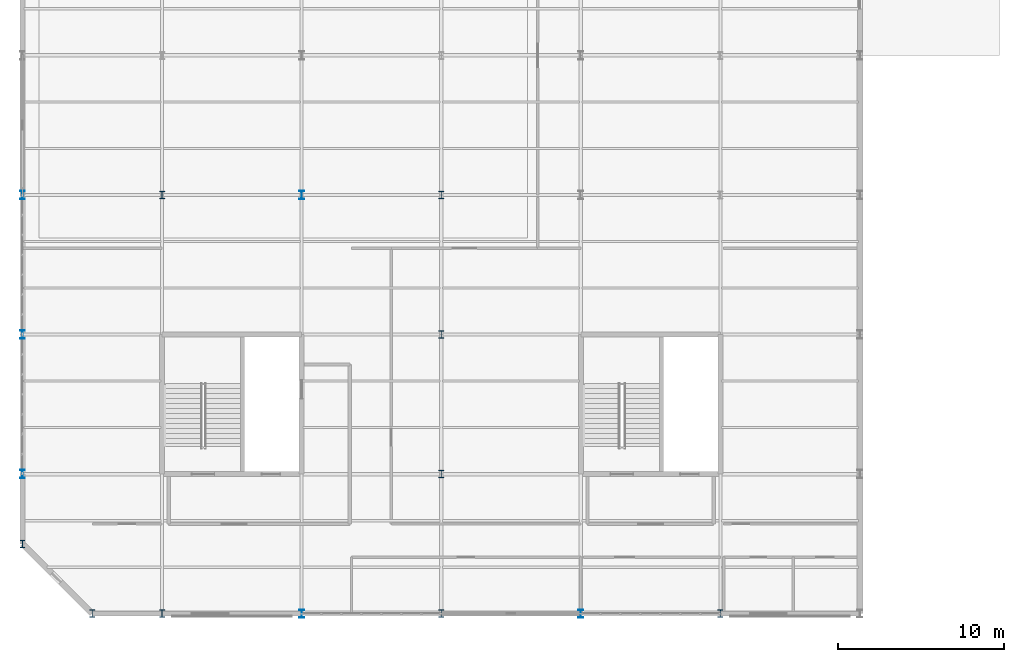
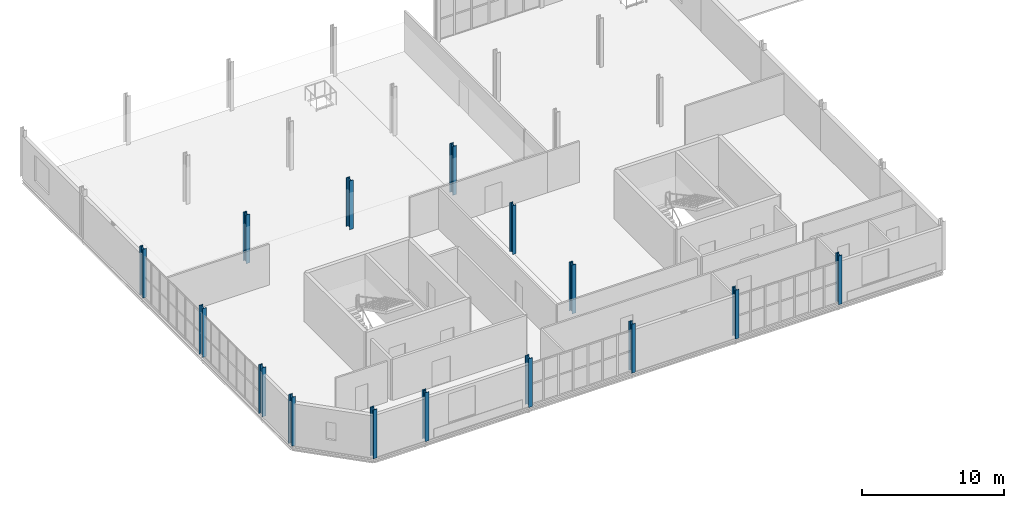
# One storey, part 1 of 69: 15 columns.
"""IFC4 building model written with IfcOpenShell, lengths in metres."""

from ifc_helpers import new_model, si_unit, direction, frame, origin, origin_2d, place, context, subcontext, project, spatial, i_section, extrude, material, material_profile, profile_set, type_object, element, save


model = new_model("IFC4")

# Units and contexts
model_context = context("Model", 3, precision=1e-05, world=origin(), true_north=direction((0.0, 1.0)))
body_context = subcontext(model_context, "Body", "Model", "MODEL_VIEW")
ifc_project = project(units=[si_unit("LENGTHUNIT", "METRE"), si_unit("AREAUNIT", "SQUARE_METRE"), si_unit("VOLUMEUNIT", "CUBIC_METRE"), si_unit("PLANEANGLEUNIT", "RADIAN"), si_unit("MASSUNIT", "GRAM", prefix="KILO")], contexts=[model_context])

# Site, building, storey
site_placement = place(None, origin())
site = spatial("IfcSite", under=ifc_project, at=site_placement, CompositionType="ELEMENT")
building_placement = place(site_placement, origin())
building = spatial("IfcBuilding", under=site, at=building_placement, Name="Qalvenar Corner Mobility Hub", CompositionType="ELEMENT")
storey_placement = place(building_placement, frame((0.0, 0.0, 13.199951171875)))
storey = spatial("IfcBuildingStorey", under=building, at=storey_placement, Name="L03", CompositionType="ELEMENT", Elevation=13.199951171875)

# Columns
ifc_material = material(Name="Steel S355", Category="steel")
ifc_material_profile_1 = material_profile(ifc_material, i_section(OverallWidth=0.300048828125, OverallDepth=0.449951171875, WebThickness=0.013916015625, FlangeThickness=0.02587890625, FilletRadius=0.027099609375, at=origin_2d()), Name="HEB450")
ifc_profile_set_1 = profile_set([ifc_material_profile_1], Name="Steel S355")
column_type_1 = type_object("IfcColumnType", Name="COL-HEB450", PredefinedType="COLUMN", material=ifc_profile_set_1)
for number, where, z_axis, x_axis, name in (
    (1, (8.39990234375, 0.0, 0.0), (0.0, 0.0, 1.0), (1.0, 0.0, 0.0), "Steel Column L03-G2-0"),
    (2, (8.39990234375, 25.199951171875, 0.0), (0.0, 0.0, 1.0), (1.0, 0.0, 0.0), "Steel Column L03-G2-3"),
    (3, (25.199951171875, 0.0, 0.0), (0.0, 0.0, 1.0), (1.0, 0.0, 0.0), "Steel Column L03-G4-0"),
    (4, (25.199951171875, 8.39990234375, 0.0), (0.0, 0.0, 1.0), (1.0, 0.0, 0.0), "Steel Column L03-G4-1"),
    (5, (25.199951171875, 16.800048828125, 0.0), (0.0, 0.0, 1.0), (1.0, 0.0, 0.0), "Steel Column L03-G4-2"),
    (6, (25.199951171875, 25.199951171875, 0.0), (0.0, 0.0, 1.0), (1.0, 0.0, 0.0), "Steel Column L03-G4-3"),
    (7, (42.0, 0.0, 0.0), (0.0, 0.0, 1.0), (1.0, 0.0, 0.0), "Steel Column L03-G6-0"),
    (8, (4.199951171875, 0.0, 0.0), (0.0, 0.0, 1.0), (1.0, 0.0, 0.0), "Steel Column L03-SPL-S"),
    (9, (0.0, 4.199951171875, 0.0), (0.0, 0.0, 1.0), (1.0, 0.0, 0.0), "Steel Column L03-SPL-W"),
):
    element("IfcColumn", number, at=place(storey_placement, frame(where, z_axis=z_axis, x_axis=x_axis)), inside=storey, type_object=column_type_1, Name=name, PredefinedType="COLUMN", context=body_context, shape_type="SweptSolid", body=[
        extrude(i_section(OverallWidth=0.300048828125, OverallDepth=0.449951171875, WebThickness=0.013916015625, FlangeThickness=0.02587890625, FilletRadius=0.027099609375, at=origin_2d()), origin(), (0.0, 0.0, 1.0), 4.199951171875),
    ])
ifc_material_profile_2 = material_profile(ifc_material, i_section(OverallWidth=0.300048828125, OverallDepth=0.5, WebThickness=0.014404296875, FlangeThickness=0.028076171875, FilletRadius=0.027099609375, at=origin_2d()), Name="HEB500")
ifc_profile_set_2 = profile_set([ifc_material_profile_2], Name="Steel S355")
column_type_2 = type_object("IfcColumnType", Name="COL-HEB500", PredefinedType="COLUMN", material=ifc_profile_set_2)
for number, where, z_axis, x_axis, name in (
    (10, (0.0, 8.39990234375, 0.0), (0.0, 0.0, 1.0), (1.0, 0.0, 0.0), "Steel Column L03-G1-1"),
    (11, (0.0, 16.800048828125, 0.0), (0.0, 0.0, 1.0), (1.0, 0.0, 0.0), "Steel Column L03-G1-2"),
    (12, (0.0, 25.199951171875, 0.0), (0.0, 0.0, 1.0), (1.0, 0.0, 0.0), "Steel Column L03-G1-3"),
    (13, (16.800048828125, 0.0, 0.0), (0.0, 0.0, 1.0), (1.0, 0.0, 0.0), "Steel Column L03-G3-0"),
    (14, (16.800048828125, 25.199951171875, 0.0), (0.0, 0.0, 1.0), (1.0, 0.0, 0.0), "Steel Column L03-G3-3"),
    (15, (33.60009765625, 0.0, 0.0), (0.0, 0.0, 1.0), (1.0, 0.0, 0.0), "Steel Column L03-G5-0"),
):
    element("IfcColumn", number, at=place(storey_placement, frame(where, z_axis=z_axis, x_axis=x_axis)), inside=storey, type_object=column_type_2, Name=name, PredefinedType="COLUMN", context=body_context, shape_type="SweptSolid", body=[
        extrude(i_section(OverallWidth=0.300048828125, OverallDepth=0.5, WebThickness=0.014404296875, FlangeThickness=0.028076171875, FilletRadius=0.027099609375, at=origin_2d()), origin(), (0.0, 0.0, 1.0), 4.199951171875),
    ])

save(model, "model.ifc")
